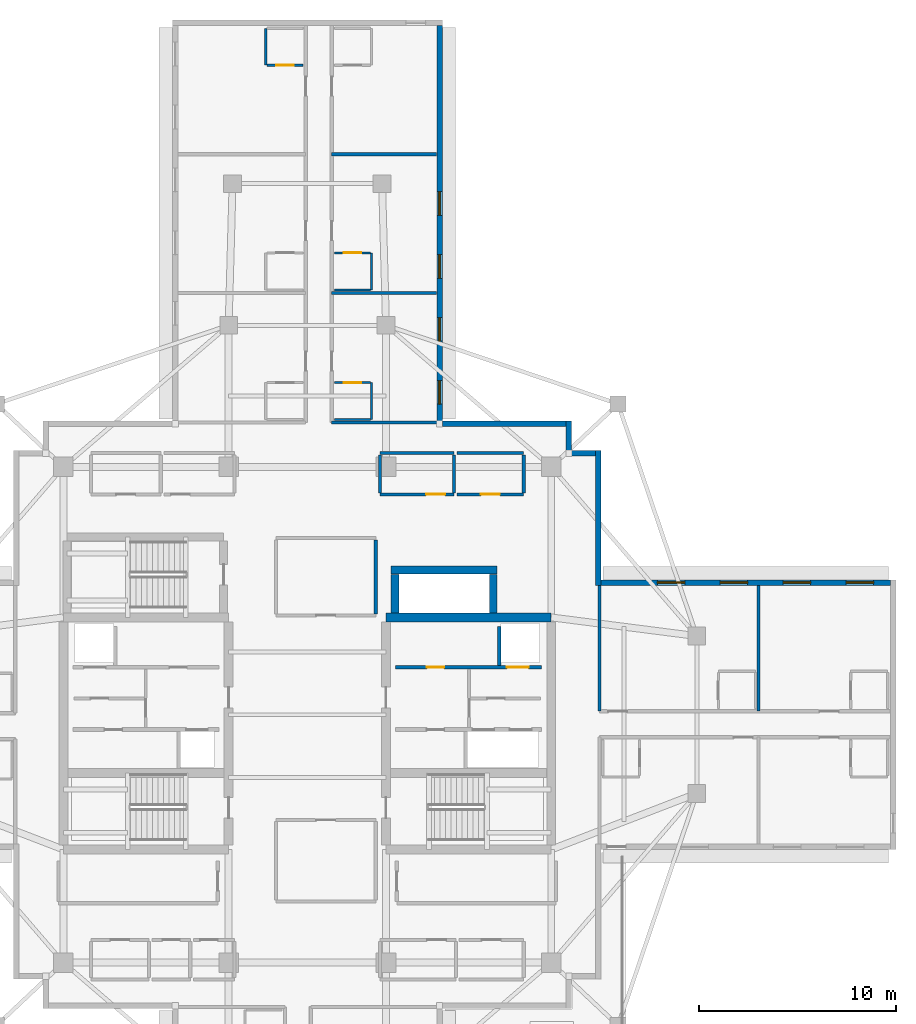
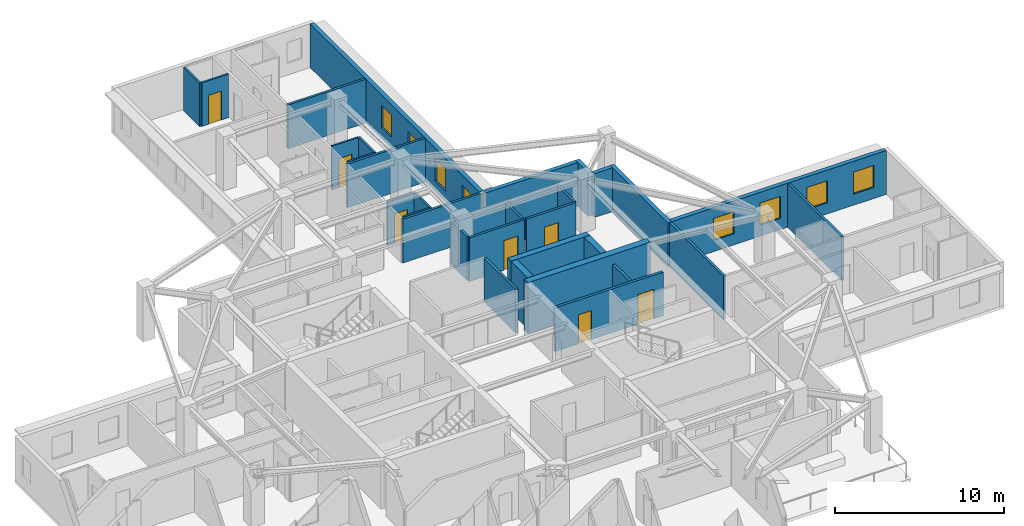
# One storey, part 8 of 13: 33 walls, 8 windows, 7 doors, 15 openings.
"""IFC4 building model written with IfcOpenShell, lengths in metres."""

from ifc_helpers import new_model, si_unit, direction, frame, frame_2d, origin, place, context, subcontext, project, spatial, rectangle, extrude, material, layer, layer_set, type_object, element, fill, save


model = new_model("IFC4")

# Units and contexts
model_context = context("Model", 3, precision=1e-05, world=origin(), true_north=direction((0.0, 1.0)))
body_context = subcontext(model_context, "Body", "Model", "MODEL_VIEW")
ifc_project = project(units=[si_unit("LENGTHUNIT", "METRE"), si_unit("AREAUNIT", "SQUARE_METRE"), si_unit("VOLUMEUNIT", "CUBIC_METRE"), si_unit("PLANEANGLEUNIT", "RADIAN"), si_unit("MASSUNIT", "GRAM", prefix="KILO")], contexts=[model_context])

# Site, building, storey
site_placement = place(None, origin())
site = spatial("IfcSite", under=ifc_project, at=site_placement, CompositionType="ELEMENT")
building_placement = place(site_placement, origin())
building = spatial("IfcBuilding", under=site, at=building_placement, Name="Qingluan Cross Belvedere", CompositionType="ELEMENT")
storey_placement = place(building_placement, frame((0.0, 0.0, 224.699951171875)))
storey = spatial("IfcBuildingStorey", under=building, at=storey_placement, Name="L56", CompositionType="ELEMENT", Elevation=224.699951171875)

# Walls
ifc_material_1 = material(Name="Concrete C50", Category="concrete")
ifc_layer_1 = layer(ifc_material_1, 0.449951171875, Name="CoreShearWall_450")
ifc_layer_set_1 = layer_set([ifc_layer_1], Name="Concrete C50")
wall_type_1 = type_object("IfcWallType", Name="CoreShearWall_450", PredefinedType="SHEAR", material=ifc_layer_set_1)
wall_1_placement = place(storey_placement, frame((4.0, 4.949951171875, 0.0), z_axis=(0.0, 0.0, 1.0), x_axis=(1.0, 0.0, 0.0)))
element("IfcWall", 1, at=wall_1_placement, inside=storey, type_object=wall_type_1, Name="Split core E shear wall L56-N", PredefinedType="SHEAR", context=body_context, shape_type="SweptSolid", body=[
    extrude(rectangle(XDim=8.39990234375, YDim=0.449951171875, at=frame_2d((4.199951171875, 0.0))), origin(), (0.0, 0.0, 1.0), 3.699951171875),
])
wall_2_placement = place(storey_placement, frame((4.449951171875, 5.179931640625, 0.0), z_axis=(0.0, 0.0, 1.0), x_axis=(0.0, 1.0, 0.0)))
element("IfcWall", 2, at=wall_2_placement, inside=storey, type_object=wall_type_1, Name="Express shuttle core wall L56-W", PredefinedType="SHEAR", context=body_context, shape_type="SweptSolid", body=[
    extrude(rectangle(XDim=1.9599609375, YDim=0.39990234375, at=frame_2d((0.97998046875, 0.0))), origin(), (0.0, 0.0, 1.0), 3.699951171875),
])
wall_3_placement = place(storey_placement, frame((4.25, 7.35009765625, 0.0), z_axis=(0.0, 0.0, 1.0), x_axis=(1.0, 0.0, 0.0)))
element("IfcWall", 3, at=wall_3_placement, inside=storey, type_object=wall_type_1, Name="Express shuttle core wall L56-N", PredefinedType="SHEAR", context=body_context, shape_type="SweptSolid", body=[
    extrude(rectangle(XDim=5.39990234375, YDim=0.39990234375, at=frame_2d((2.699951171875, 0.0))), origin(), (0.0, 0.0, 1.0), 3.699951171875),
])
wall_4_placement = place(storey_placement, frame((9.449951171875, 5.179931640625, 0.0), z_axis=(0.0, 0.0, 1.0), x_axis=(0.0, 1.0, 0.0)))
element("IfcWall", 4, at=wall_4_placement, inside=storey, type_object=wall_type_1, Name="Express shuttle core wall L56-E", PredefinedType="SHEAR", context=body_context, shape_type="SweptSolid", body=[
    extrude(rectangle(XDim=1.9599609375, YDim=0.39990234375, at=frame_2d((0.97998046875, 0.0))), origin(), (0.0, 0.0, 1.0), 3.699951171875),
])

# Wall, opening, door
ifc_material_2 = material(Name="Gypsum plasterboard on steel stud acoustic partition", Category="steel")
ifc_layer_2 = layer(ifc_material_2, 0.159912109375, Name="CorridorPartition_160")
ifc_layer_set_2 = layer_set([ifc_layer_2], Name="Gypsum plasterboard on steel stud acoustic partition")
wall_type_2 = type_object("IfcWallType", Name="CorridorPartition_160", PredefinedType="PARTITIONING", material=ifc_layer_set_2)
wall_5_placement = place(storey_placement, frame((3.699951171875, 11.199951171875, 0.0), z_axis=(0.0, 0.0, 1.0), x_axis=(1.0, 0.0, 0.0)))
wall_5 = element("IfcWall", 5, at=wall_5_placement, inside=storey, type_object=wall_type_2, Name="Partition L56:q_ne1:S", PredefinedType="PARTITIONING", context=body_context, shape_type="SweptSolid", body=[
    extrude(rectangle(XDim=3.75, YDim=0.159912109375, at=frame_2d((1.875, 0.0))), origin(), (0.0, 0.0, 1.0), 3.170166015625),
])
opening_1_placement = place(wall_5_placement, frame((2.344970703125, 0.0, 0.0)))
opening_1 = element("IfcOpeningElement", 6, at=opening_1_placement, cuts=wall_5, Name="Opening GD-10", PredefinedType="OPENING", context=body_context, shape_type="SweptSolid", body=[
    extrude(rectangle(XDim=0.9599609375, YDim=2.14990234375, at=frame_2d((0.47998046875, 1.074951171875))), frame((0.0, 0.08984375, 0.0), z_axis=(0.0, -1.0, 0.0), x_axis=(1.0, 0.0, 0.0)), (0.0, 0.0, 1.0), 0.179931640625),
])
ifc_material_3 = material(Name="Timber oak fire-rated acoustic guestroom door", Category="wood")
door_type_1 = type_object("IfcDoorType", Name="GuestEntryDoor_FD60", OperationType="NOTDEFINED", PredefinedType="DOOR", material=ifc_material_3)
door_1_placement = place(opening_1_placement, origin())
door_1 = element("IfcDoor", 7, at=door_1_placement, inside=storey, type_object=door_type_1, Name="Sky yoga pavilion L56 door", OperationType="SINGLE_SWING_RIGHT", OverallHeight=2.14990234375, OverallWidth=0.9599609375, PredefinedType="DOOR", context=body_context, shape_type="SweptSolid", body=[
    extrude(rectangle(XDim=0.9599609375, YDim=2.14990234375, at=frame_2d((0.47998046875, 1.074951171875))), frame((0.0, 0.02490234375, 0.0), z_axis=(0.0, -1.0, 0.0), x_axis=(1.0, 0.0, 0.0)), (0.0, 0.0, 1.0), 0.050048828125),
])
fill(opening_1, door_1)

# Walls
wall_6_placement = place(storey_placement, frame((3.699951171875, 13.300048828125, 0.0), z_axis=(0.0, 0.0, 1.0), x_axis=(1.0, 0.0, 0.0)))
element("IfcWall", 8, at=wall_6_placement, inside=storey, type_object=wall_type_2, Name="Partition L56:q_ne1:N", PredefinedType="PARTITIONING", context=body_context, shape_type="SweptSolid", body=[
    extrude(rectangle(XDim=3.75, YDim=0.159912109375, at=frame_2d((1.875, 0.0))), origin(), (0.0, 0.0, 1.0), 3.170166015625),
])
for number, where, z_axis, x_axis, name in (
    (9, (3.699951171875, 11.284912109375, 0.0), (0.0, 0.0, 1.0), (0.0, 1.0, 0.0), "Partition L56:q_ne1:W"),
    (10, (7.449951171875, 11.284912109375, 0.0), (0.0, 0.0, 1.0), (0.0, 1.0, 0.0), "Partition L56:q_ne1:E"),
):
    element("IfcWall", number, at=place(storey_placement, frame(where, z_axis=z_axis, x_axis=x_axis)), inside=storey, type_object=wall_type_2, Name=name, PredefinedType="PARTITIONING", context=body_context, shape_type="SweptSolid", body=[
        extrude(rectangle(XDim=1.93017578125, YDim=0.159912109375, at=frame_2d((0.965087890625, 0.0))), origin(), (0.0, 0.0, 1.0), 3.170166015625),
    ])

# Wall, opening, door
wall_7_placement = place(storey_placement, frame((7.610107421875, 11.199951171875, 0.0), z_axis=(0.0, 0.0, 1.0), x_axis=(1.0, 0.0, 0.0)))
wall_7 = element("IfcWall", 11, at=wall_7_placement, inside=storey, type_object=wall_type_2, Name="Partition L56:q_ne2:S", PredefinedType="PARTITIONING", context=body_context, shape_type="SweptSolid", body=[
    extrude(rectangle(XDim=3.389892578125, YDim=0.159912109375, at=frame_2d((1.69482421875, 0.0))), origin(), (0.0, 0.0, 1.0), 3.170166015625),
])
opening_2_placement = place(wall_7_placement, frame((1.215087890625, 0.0, 0.0)))
opening_2 = element("IfcOpeningElement", 12, at=opening_2_placement, cuts=wall_7, Name="Opening GD-10", PredefinedType="OPENING", context=body_context, shape_type="SweptSolid", body=[
    extrude(rectangle(XDim=0.9599609375, YDim=2.14990234375, at=frame_2d((0.47998046875, 1.074951171875))), frame((0.0, 0.08984375, 0.0), z_axis=(0.0, -1.0, 0.0), x_axis=(1.0, 0.0, 0.0)), (0.0, 0.0, 1.0), 0.179931640625),
])
door_2_placement = place(opening_2_placement, origin())
door_2 = element("IfcDoor", 13, at=door_2_placement, inside=storey, type_object=door_type_1, Name="Northeast tea salon L56 door", OperationType="SINGLE_SWING_LEFT", OverallHeight=2.14990234375, OverallWidth=0.9599609375, PredefinedType="DOOR", context=body_context, shape_type="SweptSolid", body=[
    extrude(rectangle(XDim=0.9599609375, YDim=2.14990234375, at=frame_2d((0.47998046875, 1.074951171875))), frame((0.0, 0.02490234375, 0.0), z_axis=(0.0, -1.0, 0.0), x_axis=(1.0, 0.0, 0.0)), (0.0, 0.0, 1.0), 0.050048828125),
])
fill(opening_2, door_2)

# Walls
wall_8_placement = place(storey_placement, frame((7.610107421875, 13.300048828125, 0.0), z_axis=(0.0, 0.0, 1.0), x_axis=(1.0, 0.0, 0.0)))
element("IfcWall", 14, at=wall_8_placement, inside=storey, type_object=wall_type_2, Name="Partition L56:q_ne2:N", PredefinedType="PARTITIONING", context=body_context, shape_type="SweptSolid", body=[
    extrude(rectangle(XDim=3.389892578125, YDim=0.159912109375, at=frame_2d((1.69482421875, 0.0))), origin(), (0.0, 0.0, 1.0), 3.170166015625),
])
wall_9_placement = place(storey_placement, frame((11.0, 11.284912109375, 0.0), z_axis=(0.0, 0.0, 1.0), x_axis=(0.0, 1.0, 0.0)))
element("IfcWall", 15, at=wall_9_placement, inside=storey, type_object=wall_type_2, Name="Partition L56:q_ne2:E", PredefinedType="PARTITIONING", context=body_context, shape_type="SweptSolid", body=[
    extrude(rectangle(XDim=1.93017578125, YDim=0.159912109375, at=frame_2d((0.965087890625, 0.0))), origin(), (0.0, 0.0, 1.0), 3.170166015625),
])
wall_10_placement = place(storey_placement, frame((3.47998046875, 5.135009765625, 0.0), z_axis=(0.0, 0.0, 1.0), x_axis=(0.0, 1.0, 0.0)))
element("IfcWall", 16, at=wall_10_placement, inside=storey, type_object=wall_type_2, Name="Partition L56:sky_tea_alcove:E", PredefinedType="PARTITIONING", context=body_context, shape_type="SweptSolid", body=[
    extrude(rectangle(XDim=3.760009765625, YDim=0.159912109375, at=frame_2d((1.8798828125, 0.0))), origin(), (0.0, 0.0, 1.0), 3.170166015625),
])
for number, where, z_axis, x_axis, name in (
    (17, (14.85009765625, 0.179931640625, 0.0), (0.0, 0.0, 1.0), (0.0, 1.0, 0.0), "Partition L56:E:s0"),
    (18, (22.94189453125, 0.179931640625, 0.0), (0.0, 0.0, 1.0), (0.0, 1.0, 0.0), "Partition L56:E:d0_0"),
):
    element("IfcWall", number, at=place(storey_placement, frame(where, z_axis=z_axis, x_axis=x_axis)), inside=storey, type_object=wall_type_2, Name=name, PredefinedType="PARTITIONING", context=body_context, shape_type="SweptSolid", body=[
        extrude(rectangle(XDim=6.39208984375, YDim=0.159912109375, at=frame_2d((3.196044921875, 0.0))), origin(), (0.0, 0.0, 1.0), 3.170166015625),
    ])
wall_11_placement = place(storey_placement, frame((1.239990234375, 14.85009765625, 0.0), z_axis=(0.0, 0.0, 1.0), x_axis=(1.0, 0.0, 0.0)))
element("IfcWall", 19, at=wall_11_placement, inside=storey, type_object=wall_type_2, Name="Partition L56:N:s0", PredefinedType="PARTITIONING", context=body_context, shape_type="SweptSolid", body=[
    extrude(rectangle(XDim=5.47998046875, YDim=0.159912109375, at=frame_2d((2.739990234375, 0.0))), origin(), (0.0, 0.0, 1.0), 3.170166015625),
])
for number, where, z_axis, x_axis, name in (
    (20, (1.239990234375, 21.43701171875, 0.0), (0.0, 0.0, 1.0), (1.0, 0.0, 0.0), "Partition L56:N:d0_0"),
    (21, (1.239990234375, 28.4951171875, 0.0), (0.0, 0.0, 1.0), (1.0, 0.0, 0.0), "Partition L56:N:d0_1"),
):
    element("IfcWall", number, at=place(storey_placement, frame(where, z_axis=z_axis, x_axis=x_axis)), inside=storey, type_object=wall_type_2, Name=name, PredefinedType="PARTITIONING", context=body_context, shape_type="SweptSolid", body=[
        extrude(rectangle(XDim=5.33203125, YDim=0.159912109375, at=frame_2d((2.666015625, 0.0))), origin(), (0.0, 0.0, 1.0), 3.170166015625),
    ])

# Wall, opening, door
ifc_material_4 = material(Name="Moisture-resistant gypsum board lining")
ifc_layer_3 = layer(ifc_material_4, 0.1201171875, Name="EnsuiteWetPartition_120")
ifc_layer_set_3 = layer_set([ifc_layer_3], Name="Moisture-resistant gypsum board lining")
wall_type_3 = type_object("IfcWallType", Name="EnsuiteWetPartition_120", PredefinedType="PARTITIONING", material=ifc_layer_set_3)
wall_12_placement = place(storey_placement, frame((1.3798828125, 16.889892578125, 0.0), z_axis=(0.0, 0.0, 1.0), x_axis=(1.0, 0.0, 0.0)))
wall_12 = element("IfcWall", 22, at=wall_12_placement, inside=storey, type_object=wall_type_3, Name="Partition L56:N:bs0_0", PredefinedType="PARTITIONING", context=body_context, shape_type="SweptSolid", body=[
    extrude(rectangle(XDim=1.820068359375, YDim=0.1201171875, at=frame_2d((0.91015625, 0.0))), origin(), (0.0, 0.0, 1.0), 3.170166015625),
])
opening_3_placement = place(wall_12_placement, frame((0.469970703125, 0.0, 0.0)))
opening_3 = element("IfcOpeningElement", 23, at=opening_3_placement, cuts=wall_12, Name="Opening BD-09", PredefinedType="OPENING", context=body_context, shape_type="SweptSolid", body=[
    extrude(rectangle(XDim=0.8798828125, YDim=2.10009765625, at=frame_2d((0.43994140625, 1.050048828125))), frame((0.0, 0.070068359375, 0.0), z_axis=(0.0, -1.0, 0.0), x_axis=(1.0, 0.0, 0.0)), (0.0, 0.0, 1.0), 0.14013671875),
])
ifc_material_5 = material(Name="Moisture-sealed timber en-suite door", Category="wood")
door_type_2 = type_object("IfcDoorType", Name="BathroomDoor_880", OperationType="NOTDEFINED", PredefinedType="DOOR", material=ifc_material_5)
door_3_placement = place(opening_3_placement, origin())
door_3 = element("IfcDoor", 24, at=door_3_placement, inside=storey, type_object=door_type_2, Name="Bathroom door 5609", OperationType="SINGLE_SWING_RIGHT", OverallHeight=2.10009765625, OverallWidth=0.8798828125, PredefinedType="DOOR", context=body_context, shape_type="SweptSolid", body=[
    extrude(rectangle(XDim=0.8798828125, YDim=2.10009765625, at=frame_2d((0.43994140625, 1.050048828125))), frame((0.0, 0.02490234375, 0.0), z_axis=(0.0, -1.0, 0.0), x_axis=(1.0, 0.0, 0.0)), (0.0, 0.0, 1.0), 0.050048828125),
])
fill(opening_3, door_3)

# Walls
wall_13_placement = place(storey_placement, frame((1.3798828125, 15.010009765625, 0.0), z_axis=(0.0, 0.0, 1.0), x_axis=(1.0, 0.0, 0.0)))
element("IfcWall", 25, at=wall_13_placement, inside=storey, type_object=wall_type_3, Name="Partition L56:N:bw0_0", PredefinedType="PARTITIONING", context=body_context, shape_type="SweptSolid", body=[
    extrude(rectangle(XDim=1.820068359375, YDim=0.1201171875, at=frame_2d((0.91015625, 0.0))), origin(), (0.0, 0.0, 1.0), 3.170166015625),
])
wall_14_placement = place(storey_placement, frame((3.264892578125, 15.010009765625, 0.0), z_axis=(0.0, 0.0, 1.0), x_axis=(0.0, 1.0, 0.0)))
element("IfcWall", 26, at=wall_14_placement, inside=storey, type_object=wall_type_3, Name="Partition L56:N:bn0_0", PredefinedType="PARTITIONING", context=body_context, shape_type="SweptSolid", body=[
    extrude(rectangle(XDim=1.8798828125, YDim=0.1201171875, at=frame_2d((0.93994140625, 0.0))), origin(), (0.0, 0.0, 1.0), 3.170166015625),
])

# Wall, opening, door
wall_15_placement = place(storey_placement, frame((1.3798828125, 23.47705078125, 0.0), z_axis=(0.0, 0.0, 1.0), x_axis=(1.0, 0.0, 0.0)))
wall_15 = element("IfcWall", 27, at=wall_15_placement, inside=storey, type_object=wall_type_3, Name="Partition L56:N:bs0_1", PredefinedType="PARTITIONING", context=body_context, shape_type="SweptSolid", body=[
    extrude(rectangle(XDim=1.820068359375, YDim=0.1201171875, at=frame_2d((0.91015625, 0.0))), origin(), (0.0, 0.0, 1.0), 3.170166015625),
])
opening_4_placement = place(wall_15_placement, frame((0.469970703125, 0.0, 0.0)))
opening_4 = element("IfcOpeningElement", 28, at=opening_4_placement, cuts=wall_15, Name="Opening BD-09", PredefinedType="OPENING", context=body_context, shape_type="SweptSolid", body=[
    extrude(rectangle(XDim=0.8798828125, YDim=2.10009765625, at=frame_2d((0.43994140625, 1.050048828125))), frame((0.0, 0.070068359375, 0.0), z_axis=(0.0, -1.0, 0.0), x_axis=(1.0, 0.0, 0.0)), (0.0, 0.0, 1.0), 0.14013671875),
])
door_4_placement = place(opening_4_placement, origin())
door_4 = element("IfcDoor", 29, at=door_4_placement, inside=storey, type_object=door_type_2, Name="Bathroom door 5610", OperationType="SINGLE_SWING_RIGHT", OverallHeight=2.10009765625, OverallWidth=0.8798828125, PredefinedType="DOOR", context=body_context, shape_type="SweptSolid", body=[
    extrude(rectangle(XDim=0.8798828125, YDim=2.10009765625, at=frame_2d((0.43994140625, 1.050048828125))), frame((0.0, 0.02490234375, 0.0), z_axis=(0.0, -1.0, 0.0), x_axis=(1.0, 0.0, 0.0)), (0.0, 0.0, 1.0), 0.050048828125),
])
fill(opening_4, door_4)

# Walls
wall_16_placement = place(storey_placement, frame((1.3798828125, 21.596923828125, 0.0), z_axis=(0.0, 0.0, 1.0), x_axis=(1.0, 0.0, 0.0)))
element("IfcWall", 30, at=wall_16_placement, inside=storey, type_object=wall_type_3, Name="Partition L56:N:bw0_1", PredefinedType="PARTITIONING", context=body_context, shape_type="SweptSolid", body=[
    extrude(rectangle(XDim=1.820068359375, YDim=0.1201171875, at=frame_2d((0.91015625, 0.0))), origin(), (0.0, 0.0, 1.0), 3.170166015625),
])
wall_17_placement = place(storey_placement, frame((3.264892578125, 21.596923828125, 0.0), z_axis=(0.0, 0.0, 1.0), x_axis=(0.0, 1.0, 0.0)))
element("IfcWall", 31, at=wall_17_placement, inside=storey, type_object=wall_type_3, Name="Partition L56:N:bn0_1", PredefinedType="PARTITIONING", context=body_context, shape_type="SweptSolid", body=[
    extrude(rectangle(XDim=1.880126953125, YDim=0.1201171875, at=frame_2d((0.93994140625, 0.0))), origin(), (0.0, 0.0, 1.0), 3.170166015625),
])

# Wall, opening, door
wall_18_placement = place(storey_placement, frame((-2.0400390625, 33.02001953125, 0.0), z_axis=(0.0, 0.0, 1.0), x_axis=(1.0, 0.0, 0.0)))
wall_18 = element("IfcWall", 32, at=wall_18_placement, inside=storey, type_object=wall_type_3, Name="Partition L56:N:bs1_2", PredefinedType="PARTITIONING", context=body_context, shape_type="SweptSolid", body=[
    extrude(rectangle(XDim=1.820068359375, YDim=0.1201171875, at=frame_2d((0.91015625, 0.0))), origin(), (0.0, 0.0, 1.0), 3.170166015625),
])
opening_5_placement = place(wall_18_placement, frame((0.469970703125, 0.0, 0.0)))
opening_5 = element("IfcOpeningElement", 33, at=opening_5_placement, cuts=wall_18, Name="Opening BD-09", PredefinedType="OPENING", context=body_context, shape_type="SweptSolid", body=[
    extrude(rectangle(XDim=0.8798828125, YDim=2.10009765625, at=frame_2d((0.43994140625, 1.050048828125))), frame((0.0, 0.070068359375, 0.0), z_axis=(0.0, -1.0, 0.0), x_axis=(1.0, 0.0, 0.0)), (0.0, 0.0, 1.0), 0.14013671875),
])
door_5_placement = place(opening_5_placement, origin())
door_5 = element("IfcDoor", 34, at=door_5_placement, inside=storey, type_object=door_type_2, Name="Bathroom door 5614", OperationType="SINGLE_SWING_RIGHT", OverallHeight=2.10009765625, OverallWidth=0.8798828125, PredefinedType="DOOR", context=body_context, shape_type="SweptSolid", body=[
    extrude(rectangle(XDim=0.8798828125, YDim=2.10009765625, at=frame_2d((0.43994140625, 1.050048828125))), frame((0.0, 0.02490234375, 0.0), z_axis=(0.0, -1.0, 0.0), x_axis=(1.0, 0.0, 0.0)), (0.0, 0.0, 1.0), 0.050048828125),
])
fill(opening_5, door_5)

# Wall
wall_19_placement = place(storey_placement, frame((-2.10498046875, 33.02001953125, 0.0), z_axis=(0.0, 0.0, 1.0), x_axis=(0.0, 1.0, 0.0)))
element("IfcWall", 35, at=wall_19_placement, inside=storey, type_object=wall_type_3, Name="Partition L56:N:bc1_2", PredefinedType="PARTITIONING", context=body_context, shape_type="SweptSolid", body=[
    extrude(rectangle(XDim=1.8798828125, YDim=0.1201171875, at=frame_2d((0.93994140625, 0.0))), origin(), (0.0, 0.0, 1.0), 3.170166015625),
])

# Wall, openings, windows
ifc_material_6 = material(Name="Precast concrete C45", Category="concrete")
ifc_layer_4 = layer(ifc_material_6, 0.280029296875, Name="PrecastFacadeWall_280")
ifc_layer_set_4 = layer_set([ifc_layer_4], Name="Precast concrete C45")
wall_type_4 = type_object("IfcWallType", Name="PrecastFacadeWall_280", PredefinedType="STANDARD", material=ifc_layer_set_4)
wall_20_placement = place(storey_placement, frame((29.639892578125, 6.719970703125, 0.0), z_axis=(0.0, 0.0, 1.0), x_axis=(-1.0, 0.0, 0.0)))
wall_20 = element("IfcWall", 36, at=wall_20_placement, inside=storey, type_object=wall_type_4, Name="Facade wall L56-EB", PredefinedType="STANDARD", context=body_context, shape_type="SweptSolid", body=[
    extrude(rectangle(XDim=14.699951171875, YDim=0.280029296875, at=frame_2d((7.35009765625, 0.0))), origin(), (0.0, 0.0, 1.0), 3.179931640625),
])
opening_6_placement = place(wall_20_placement, frame((0.85009765625, 0.0, 0.800048828125)))
opening_6 = element("IfcOpeningElement", 37, at=opening_6_placement, cuts=wall_20, Name="Opening W-01", PredefinedType="OPENING", context=body_context, shape_type="SweptSolid", body=[
    extrude(rectangle(XDim=1.39990234375, YDim=1.60009765625, at=frame_2d((0.699951171875, 0.800048828125))), frame((0.0, 0.14990234375, 0.0), z_axis=(0.0, -1.0, 0.0), x_axis=(1.0, 0.0, 0.0)), (0.0, 0.0, 1.0), 0.300048828125),
])
opening_7_placement = place(wall_20_placement, frame((4.050048828125, 0.0, 0.800048828125)))
opening_7 = element("IfcOpeningElement", 38, at=opening_7_placement, cuts=wall_20, Name="Opening W-01", PredefinedType="OPENING", context=body_context, shape_type="SweptSolid", body=[
    extrude(rectangle(XDim=1.39990234375, YDim=1.60009765625, at=frame_2d((0.699951171875, 0.800048828125))), frame((0.0, 0.14990234375, 0.0), z_axis=(0.0, -1.0, 0.0), x_axis=(1.0, 0.0, 0.0)), (0.0, 0.0, 1.0), 0.300048828125),
])
opening_8_placement = place(wall_20_placement, frame((7.25, 0.0, 0.800048828125)))
opening_8 = element("IfcOpeningElement", 39, at=opening_8_placement, cuts=wall_20, Name="Opening W-01", PredefinedType="OPENING", context=body_context, shape_type="SweptSolid", body=[
    extrude(rectangle(XDim=1.39990234375, YDim=1.60009765625, at=frame_2d((0.699951171875, 0.800048828125))), frame((0.0, 0.14990234375, 0.0), z_axis=(0.0, -1.0, 0.0), x_axis=(1.0, 0.0, 0.0)), (0.0, 0.0, 1.0), 0.300048828125),
])
opening_9_placement = place(wall_20_placement, frame((10.449951171875, 0.0, 0.800048828125)))
opening_9 = element("IfcOpeningElement", 40, at=opening_9_placement, cuts=wall_20, Name="Opening W-01", PredefinedType="OPENING", context=body_context, shape_type="SweptSolid", body=[
    extrude(rectangle(XDim=1.39990234375, YDim=1.60009765625, at=frame_2d((0.699951171875, 0.800048828125))), frame((0.0, 0.14990234375, 0.0), z_axis=(0.0, -1.0, 0.0), x_axis=(1.0, 0.0, 0.0)), (0.0, 0.0, 1.0), 0.300048828125),
])
ifc_material_7 = material(Name="Thermally broken triple Low-E glass in aluminium frame", Category="aluminium")
window_type_1 = type_object("IfcWindowType", Name="TriRibbonWin_1400x1600", PartitioningType="SINGLE_PANEL", PredefinedType="WINDOW", material=ifc_material_7)
window_1_placement = place(opening_6_placement, origin())
window_1 = element("IfcWindow", 41, at=window_1_placement, inside=storey, type_object=window_type_1, Name="Ribbon window L56-EB-1", OverallHeight=1.60009765625, OverallWidth=1.39990234375, PartitioningType="SINGLE_PANEL", PredefinedType="WINDOW", context=body_context, shape_type="SweptSolid", body=[
    extrude(rectangle(XDim=1.39990234375, YDim=1.60009765625, at=frame_2d((0.699951171875, 0.800048828125))), frame((0.0, 0.030029296875, 0.0), z_axis=(0.0, -1.0, 0.0), x_axis=(1.0, 0.0, 0.0)), (0.0, 0.0, 1.0), 0.06005859375),
])
fill(opening_6, window_1)
window_2_placement = place(opening_7_placement, origin())
window_2 = element("IfcWindow", 42, at=window_2_placement, inside=storey, type_object=window_type_1, Name="Ribbon window L56-EB-2", OverallHeight=1.60009765625, OverallWidth=1.39990234375, PartitioningType="SINGLE_PANEL", PredefinedType="WINDOW", context=body_context, shape_type="SweptSolid", body=[
    extrude(rectangle(XDim=1.39990234375, YDim=1.60009765625, at=frame_2d((0.699951171875, 0.800048828125))), frame((0.0, 0.030029296875, 0.0), z_axis=(0.0, -1.0, 0.0), x_axis=(1.0, 0.0, 0.0)), (0.0, 0.0, 1.0), 0.06005859375),
])
fill(opening_7, window_2)
window_3_placement = place(opening_8_placement, origin())
window_3 = element("IfcWindow", 43, at=window_3_placement, inside=storey, type_object=window_type_1, Name="Ribbon window L56-EB-3", OverallHeight=1.60009765625, OverallWidth=1.39990234375, PartitioningType="SINGLE_PANEL", PredefinedType="WINDOW", context=body_context, shape_type="SweptSolid", body=[
    extrude(rectangle(XDim=1.39990234375, YDim=1.60009765625, at=frame_2d((0.699951171875, 0.800048828125))), frame((0.0, 0.030029296875, 0.0), z_axis=(0.0, -1.0, 0.0), x_axis=(1.0, 0.0, 0.0)), (0.0, 0.0, 1.0), 0.06005859375),
])
fill(opening_8, window_3)
window_4_placement = place(opening_9_placement, origin())
window_4 = element("IfcWindow", 44, at=window_4_placement, inside=storey, type_object=window_type_1, Name="Ribbon window L56-EB-4", OverallHeight=1.60009765625, OverallWidth=1.39990234375, PartitioningType="SINGLE_PANEL", PredefinedType="WINDOW", context=body_context, shape_type="SweptSolid", body=[
    extrude(rectangle(XDim=1.39990234375, YDim=1.60009765625, at=frame_2d((0.699951171875, 0.800048828125))), frame((0.0, 0.030029296875, 0.0), z_axis=(0.0, -1.0, 0.0), x_axis=(1.0, 0.0, 0.0)), (0.0, 0.0, 1.0), 0.06005859375),
])
fill(opening_9, window_4)

wall_21_placement = place(storey_placement, frame((6.719970703125, 14.93994140625, 0.0), z_axis=(0.0, 0.0, 1.0), x_axis=(0.0, 1.0, 0.0)))
wall_21 = element("IfcWall", 45, at=wall_21_placement, inside=storey, type_object=wall_type_4, Name="Facade wall L56-NA", PredefinedType="STANDARD", context=body_context, shape_type="SweptSolid", body=[
    extrude(rectangle(XDim=20.10009765625, YDim=0.280029296875, at=frame_2d((10.050048828125, 0.0))), origin(), (0.0, 0.0, 1.0), 3.179931640625),
])
opening_10_placement = place(wall_21_placement, frame((0.85009765625, 0.0, 0.800048828125)))
opening_10 = element("IfcOpeningElement", 46, at=opening_10_placement, cuts=wall_21, Name="Opening W-02", PredefinedType="OPENING", context=body_context, shape_type="SweptSolid", body=[
    extrude(rectangle(XDim=1.199951171875, YDim=1.60009765625, at=frame_2d((0.60009765625, 0.800048828125))), frame((0.0, 0.14990234375, 0.0), z_axis=(0.0, -1.0, 0.0), x_axis=(1.0, 0.0, 0.0)), (0.0, 0.0, 1.0), 0.300048828125),
])
opening_11_placement = place(wall_21_placement, frame((4.050048828125, 0.0, 0.800048828125)))
opening_11 = element("IfcOpeningElement", 47, at=opening_11_placement, cuts=wall_21, Name="Opening W-02", PredefinedType="OPENING", context=body_context, shape_type="SweptSolid", body=[
    extrude(rectangle(XDim=1.199951171875, YDim=1.60009765625, at=frame_2d((0.60009765625, 0.800048828125))), frame((0.0, 0.14990234375, 0.0), z_axis=(0.0, -1.0, 0.0), x_axis=(1.0, 0.0, 0.0)), (0.0, 0.0, 1.0), 0.300048828125),
])
opening_12_placement = place(wall_21_placement, frame((7.25, 0.0, 0.800048828125)))
opening_12 = element("IfcOpeningElement", 48, at=opening_12_placement, cuts=wall_21, Name="Opening W-02", PredefinedType="OPENING", context=body_context, shape_type="SweptSolid", body=[
    extrude(rectangle(XDim=1.199951171875, YDim=1.60009765625, at=frame_2d((0.60009765625, 0.800048828125))), frame((0.0, 0.14990234375, 0.0), z_axis=(0.0, -1.0, 0.0), x_axis=(1.0, 0.0, 0.0)), (0.0, 0.0, 1.0), 0.300048828125),
])
opening_13_placement = place(wall_21_placement, frame((10.449951171875, 0.0, 0.800048828125)))
opening_13 = element("IfcOpeningElement", 49, at=opening_13_placement, cuts=wall_21, Name="Opening W-02", PredefinedType="OPENING", context=body_context, shape_type="SweptSolid", body=[
    extrude(rectangle(XDim=1.199951171875, YDim=1.60009765625, at=frame_2d((0.60009765625, 0.800048828125))), frame((0.0, 0.14990234375, 0.0), z_axis=(0.0, -1.0, 0.0), x_axis=(1.0, 0.0, 0.0)), (0.0, 0.0, 1.0), 0.300048828125),
])
ifc_material_8 = material(Name="Thermally broken triple Low-E glass in aluminium frame", Category="aluminium")
window_type_2 = type_object("IfcWindowType", Name="TriRibbonWin_1200x1600", PartitioningType="SINGLE_PANEL", PredefinedType="WINDOW", material=ifc_material_8)
window_5_placement = place(opening_10_placement, origin())
window_5 = element("IfcWindow", 50, at=window_5_placement, inside=storey, type_object=window_type_2, Name="Ribbon window L56-NA-1", OverallHeight=1.60009765625, OverallWidth=1.199951171875, PartitioningType="SINGLE_PANEL", PredefinedType="WINDOW", context=body_context, shape_type="SweptSolid", body=[
    extrude(rectangle(XDim=1.199951171875, YDim=1.60009765625, at=frame_2d((0.60009765625, 0.800048828125))), frame((0.0, 0.030029296875, 0.0), z_axis=(0.0, -1.0, 0.0), x_axis=(1.0, 0.0, 0.0)), (0.0, 0.0, 1.0), 0.06005859375),
])
fill(opening_10, window_5)
window_6_placement = place(opening_11_placement, origin())
window_6 = element("IfcWindow", 51, at=window_6_placement, inside=storey, type_object=window_type_2, Name="Ribbon window L56-NA-2", OverallHeight=1.60009765625, OverallWidth=1.199951171875, PartitioningType="SINGLE_PANEL", PredefinedType="WINDOW", context=body_context, shape_type="SweptSolid", body=[
    extrude(rectangle(XDim=1.199951171875, YDim=1.60009765625, at=frame_2d((0.60009765625, 0.800048828125))), frame((0.0, 0.030029296875, 0.0), z_axis=(0.0, -1.0, 0.0), x_axis=(1.0, 0.0, 0.0)), (0.0, 0.0, 1.0), 0.06005859375),
])
fill(opening_11, window_6)
window_7_placement = place(opening_12_placement, origin())
window_7 = element("IfcWindow", 52, at=window_7_placement, inside=storey, type_object=window_type_2, Name="Ribbon window L56-NA-3", OverallHeight=1.60009765625, OverallWidth=1.199951171875, PartitioningType="SINGLE_PANEL", PredefinedType="WINDOW", context=body_context, shape_type="SweptSolid", body=[
    extrude(rectangle(XDim=1.199951171875, YDim=1.60009765625, at=frame_2d((0.60009765625, 0.800048828125))), frame((0.0, 0.030029296875, 0.0), z_axis=(0.0, -1.0, 0.0), x_axis=(1.0, 0.0, 0.0)), (0.0, 0.0, 1.0), 0.06005859375),
])
fill(opening_12, window_7)
window_8_placement = place(opening_13_placement, origin())
window_8 = element("IfcWindow", 53, at=window_8_placement, inside=storey, type_object=window_type_2, Name="Ribbon window L56-NA-4", OverallHeight=1.60009765625, OverallWidth=1.199951171875, PartitioningType="SINGLE_PANEL", PredefinedType="WINDOW", context=body_context, shape_type="SweptSolid", body=[
    extrude(rectangle(XDim=1.199951171875, YDim=1.60009765625, at=frame_2d((0.60009765625, 0.800048828125))), frame((0.0, 0.030029296875, 0.0), z_axis=(0.0, -1.0, 0.0), x_axis=(1.0, 0.0, 0.0)), (0.0, 0.0, 1.0), 0.06005859375),
])
fill(opening_13, window_8)

# Walls
wall_22_placement = place(storey_placement, frame((14.800048828125, 6.580078125, 0.0), z_axis=(0.0, 0.0, 1.0), x_axis=(0.0, 1.0, 0.0)))
element("IfcWall", 54, at=wall_22_placement, inside=storey, type_object=wall_type_4, Name="Corner wall L56-NE1", PredefinedType="STANDARD", context=body_context, shape_type="SweptSolid", body=[
    extrude(rectangle(XDim=6.85986328125, YDim=0.280029296875, at=frame_2d((3.429931640625, 0.0))), origin(), (0.0, 0.0, 1.0), 3.179931640625),
])
wall_23_placement = place(storey_placement, frame((14.659912109375, 13.300048828125, 0.0), z_axis=(0.0, 0.0, 1.0), x_axis=(-1.0, 0.0, 0.0)))
element("IfcWall", 55, at=wall_23_placement, inside=storey, type_object=wall_type_4, Name="Corner wall L56-NE2", PredefinedType="STANDARD", context=body_context, shape_type="SweptSolid", body=[
    extrude(rectangle(XDim=1.219970703125, YDim=0.280029296875, at=frame_2d((0.60986328125, 0.0))), origin(), (0.0, 0.0, 1.0), 3.179931640625),
])
wall_24_placement = place(storey_placement, frame((13.300048828125, 13.43994140625, 0.0), z_axis=(0.0, 0.0, 1.0), x_axis=(0.0, 1.0, 0.0)))
element("IfcWall", 56, at=wall_24_placement, inside=storey, type_object=wall_type_4, Name="Corner wall L56-NE3", PredefinedType="STANDARD", context=body_context, shape_type="SweptSolid", body=[
    extrude(rectangle(XDim=1.5, YDim=0.280029296875, at=frame_2d((0.75, 0.0))), origin(), (0.0, 0.0, 1.0), 3.179931640625),
])
wall_25_placement = place(storey_placement, frame((13.159912109375, 14.800048828125, 0.0), z_axis=(0.0, 0.0, 1.0), x_axis=(-1.0, 0.0, 0.0)))
element("IfcWall", 57, at=wall_25_placement, inside=storey, type_object=wall_type_4, Name="Corner wall L56-NE4", PredefinedType="STANDARD", context=body_context, shape_type="SweptSolid", body=[
    extrude(rectangle(XDim=6.2998046875, YDim=0.280029296875, at=frame_2d((3.14990234375, 0.0))), origin(), (0.0, 0.0, 1.0), 3.179931640625),
])

# Wall, openings, doors
ifc_material_9 = material(Name="Concrete C40", Category="concrete")
ifc_layer_5 = layer(ifc_material_9, 0.219970703125, Name="ShaftEnclosureWall_250")
ifc_layer_set_5 = layer_set([ifc_layer_5], Name="Concrete C40")
wall_type_5 = type_object("IfcWallType", Name="ShaftEnclosureWall_250", PredefinedType="SOLIDWALL", material=ifc_layer_set_5)
wall_26_placement = place(storey_placement, frame((4.47998046875, 2.409912109375, 0.0), z_axis=(0.0, 0.0, 1.0), x_axis=(1.0, 0.0, 0.0)))
wall_26 = element("IfcWall", 58, at=wall_26_placement, inside=storey, type_object=wall_type_5, Name="Core-E north hoistway wall L56", PredefinedType="SOLIDWALL", context=body_context, shape_type="SweptSolid", body=[
    extrude(rectangle(XDim=7.419921875, YDim=0.179931640625, at=frame_2d((3.7099609375, 0.0))), origin(), (0.0, 0.0, 1.0), 3.170166015625),
])
opening_14_placement = place(wall_26_placement, frame((5.669921875, 0.0, 0.0)))
opening_14 = element("IfcOpeningElement", 59, at=opening_14_placement, cuts=wall_26, Name="Opening LD-11", PredefinedType="OPENING", context=body_context, shape_type="SweptSolid", body=[
    extrude(rectangle(XDim=1.10009765625, YDim=2.14990234375, at=frame_2d((0.550048828125, 1.074951171875))), frame((0.0, 0.099853515625, 0.0), z_axis=(0.0, -1.0, 0.0), x_axis=(1.0, 0.0, 0.0)), (0.0, 0.0, 1.0), 0.199951171875),
])
opening_15_placement = place(wall_26_placement, frame((1.60009765625, 0.0, 0.0)))
opening_15 = element("IfcOpeningElement", 60, at=opening_15_placement, cuts=wall_26, Name="Opening FD-B10", PredefinedType="OPENING", context=body_context, shape_type="SweptSolid", body=[
    extrude(rectangle(XDim=0.8798828125, YDim=2.10009765625, at=frame_2d((0.43994140625, 1.050048828125))), frame((0.0, 0.099853515625, 0.0), z_axis=(0.0, -1.0, 0.0), x_axis=(1.0, 0.0, 0.0)), (0.0, 0.0, 1.0), 0.199951171875),
])
ifc_material_10 = material(Name="Brushed stainless steel centre-opening lift landing door", Category="steel")
door_type_3 = type_object("IfcDoorType", Name="LiftLandingSlidingDoor_1100", OperationType="DOUBLE_DOOR_SLIDING", PredefinedType="DOOR", material=ifc_material_10)
door_6_placement = place(opening_14_placement, origin())
door_6 = element("IfcDoor", 61, at=door_6_placement, inside=storey, type_object=door_type_3, Name="Lift landing sliding door FL2 L56", OperationType="DOUBLE_DOOR_SLIDING", OverallHeight=2.14990234375, OverallWidth=1.10009765625, PredefinedType="DOOR", context=body_context, shape_type="SweptSolid", body=[
    extrude(rectangle(XDim=1.10009765625, YDim=2.14990234375, at=frame_2d((0.550048828125, 1.074951171875))), frame((0.0, 0.02490234375, 0.0), z_axis=(0.0, -1.0, 0.0), x_axis=(1.0, 0.0, 0.0)), (0.0, 0.0, 1.0), 0.050048828125),
])
fill(opening_14, door_6)
ifc_material_11 = material(Name="Steel Class B service fire door", Category="steel")
door_type_4 = type_object("IfcDoorType", Name="RiserServiceFireDoor_FDB", OperationType="NOTDEFINED", PredefinedType="DOOR", material=ifc_material_11)
door_7_placement = place(opening_15_placement, origin())
door_7 = element("IfcDoor", 62, at=door_7_placement, inside=storey, type_object=door_type_4, Name="Pantry room door E L56", OperationType="SINGLE_SWING_RIGHT", OverallHeight=2.10009765625, OverallWidth=0.8798828125, PredefinedType="DOOR", context=body_context, shape_type="SweptSolid", body=[
    extrude(rectangle(XDim=0.8798828125, YDim=2.10009765625, at=frame_2d((0.43994140625, 1.050048828125))), frame((0.0, 0.02490234375, 0.0), z_axis=(0.0, -1.0, 0.0), x_axis=(1.0, 0.0, 0.0)), (0.0, 0.0, 1.0), 0.050048828125),
])
fill(opening_15, door_7)

# Wall
wall_27_placement = place(storey_placement, frame((9.760009765625, 2.5, 0.0), z_axis=(0.0, 0.0, 1.0), x_axis=(0.0, 1.0, 0.0)))
element("IfcWall", 63, at=wall_27_placement, inside=storey, type_object=wall_type_5, Name="Hoistway enclosure divider FL2W L56", PredefinedType="SOLIDWALL", context=body_context, shape_type="SweptSolid", body=[
    extrude(rectangle(XDim=1.989990234375, YDim=0.179931640625, at=frame_2d((0.9951171875, 0.0))), origin(), (0.0, 0.0, 1.0), 3.170166015625),
])

save(model, "model.ifc")
